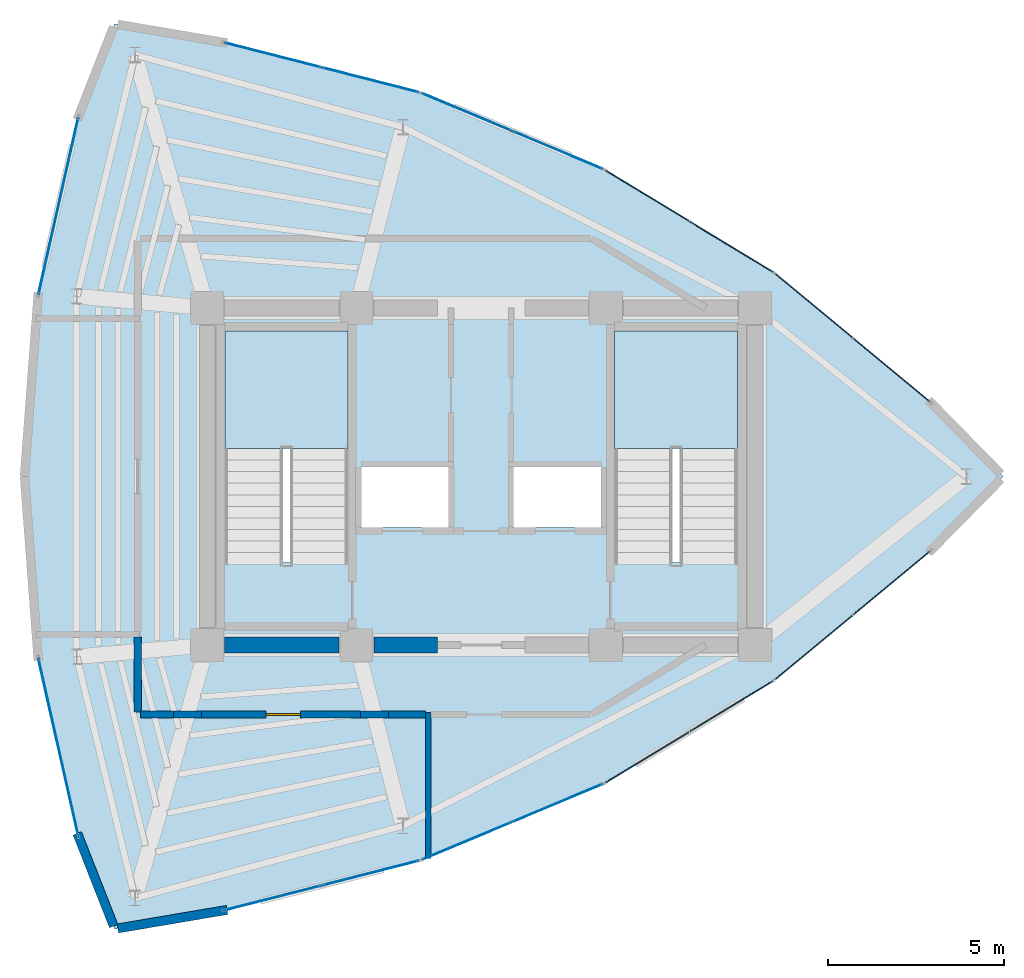
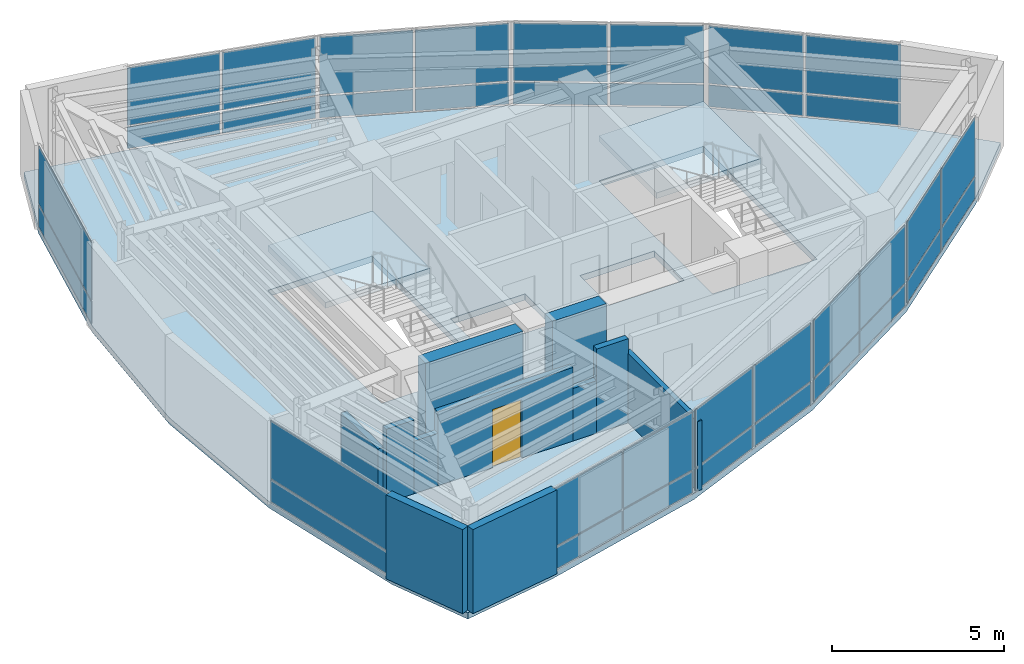
# One storey, part 11 of 14: 36 plates, 11 walls, 3 slabs, 1 door, 1 opening, 12 elements without a shape of their own.
"""IFC4 building model written with IfcOpenShell, lengths in metres."""

from ifc_helpers import new_model, si_unit, direction, frame, frame_2d, origin, origin_2d, place, context, subcontext, project, spatial, polyline, rectangle, outline, extrude, material, layer, layer_set, type_object, element, fill, aggregate, save


model = new_model("IFC4")

# Units and contexts
model_context = context("Model", 3, precision=1e-05, world=origin(), true_north=direction((0.0, 1.0)))
body_context = subcontext(model_context, "Body", "Model", "MODEL_VIEW")
ifc_project = project(units=[si_unit("LENGTHUNIT", "METRE"), si_unit("AREAUNIT", "SQUARE_METRE"), si_unit("VOLUMEUNIT", "CUBIC_METRE"), si_unit("PLANEANGLEUNIT", "RADIAN"), si_unit("MASSUNIT", "GRAM", prefix="KILO")], contexts=[model_context])

# Site, building, storey
site_placement = place(None, origin())
site = spatial("IfcSite", under=ifc_project, at=site_placement, CompositionType="ELEMENT")
building_placement = place(site_placement, origin())
building = spatial("IfcBuilding", under=site, at=building_placement, Name="Menara Vayukalpa", CompositionType="ELEMENT")
storey_placement = place(building_placement, frame((0.0, 0.0, 308.820068359375)))
storey = spatial("IfcBuildingStorey", under=building, at=storey_placement, Name="L79", CompositionType="ELEMENT", Elevation=308.820068359375)

# Curtain wall, plates
ifc_material_1 = material(Name="Anodised Terracotta Aluminium Alloy 6063-T6", Category="masonry")
ifc_layer_1 = layer(ifc_material_1, 0.14990234375)
ifc_layer_set_1 = layer_set([ifc_layer_1], Name="Anodised Terracotta Aluminium Alloy 6063-T6")
curtain_wall_type = type_object("IfcCurtainWallType", Name="CW-CW7", PredefinedType="USERDEFINED", material=ifc_layer_set_1)
curtain_wall_1_placement = place(storey_placement, origin())
curtain_wall_1 = element("IfcCurtainWall", 1, at=curtain_wall_1_placement, inside=storey, type_object=curtain_wall_type, Name="L79 Crown Drum Screened Curtain Wall CW7 03", ObjectType="UNITISED", PredefinedType="USERDEFINED")
ifc_material_2 = material(Name="Low-E Double Glazing", Category="glass")
ifc_layer_2 = layer(ifc_material_2, 0.02587890625)
ifc_layer_set_2 = layer_set([ifc_layer_2], Name="Low-E Double Glazing")
plate_type = type_object("IfcPlateType", Name="CWP-CW7", PredefinedType="CURTAIN_PANEL", material=ifc_layer_set_2)
plate_1_placement = place(storey_placement, frame((37.28271484375, 25.031982421875, 0.06005859375), z_axis=(0.0, 0.0, 1.0), x_axis=(-0.7697490702, 0.63834658997, 0.0)))
plate_1 = element("IfcPlate", 2, at=plate_1_placement, type_object=plate_type, Name="CW7 panel 1.1", PredefinedType="CURTAIN_PANEL", context=body_context, shape_type="SweptSolid", body=[
    extrude(rectangle(XDim=2.80078125, YDim=0.02587890625, at=origin_2d()), origin(), (0.0, 0.0, 1.0), 0.760009765625),
])
plate_2_placement = place(storey_placement, frame((37.28271484375, 25.031982421875, 0.8798828125), z_axis=(0.0, 0.0, 1.0), x_axis=(-0.7697490702, 0.63834658997, 0.0)))
plate_2 = element("IfcPlate", 3, at=plate_2_placement, type_object=plate_type, Name="CW7 panel 1.2", PredefinedType="CURTAIN_PANEL", context=body_context, shape_type="SweptSolid", body=[
    extrude(rectangle(XDim=2.80078125, YDim=0.02587890625, at=origin_2d()), origin(), (0.0, 0.0, 1.0), 2.0400390625),
])
plate_3_placement = place(storey_placement, frame((35.07666015625, 26.861328125, 0.06005859375), z_axis=(0.0, 0.0, 1.0), x_axis=(-0.7697490702, 0.63834658997, 0.0)))
plate_3 = element("IfcPlate", 4, at=plate_3_placement, type_object=plate_type, Name="CW7 panel 2.1", PredefinedType="CURTAIN_PANEL", context=body_context, shape_type="SweptSolid", body=[
    extrude(rectangle(XDim=2.80078125, YDim=0.02587890625, at=origin_2d()), origin(), (0.0, 0.0, 1.0), 0.760009765625),
])
plate_4_placement = place(storey_placement, frame((35.07666015625, 26.861328125, 0.8798828125), z_axis=(0.0, 0.0, 1.0), x_axis=(-0.7697490702, 0.63834658997, 0.0)))
plate_4 = element("IfcPlate", 5, at=plate_4_placement, type_object=plate_type, Name="CW7 panel 2.2", PredefinedType="CURTAIN_PANEL", context=body_context, shape_type="SweptSolid", body=[
    extrude(rectangle(XDim=2.80078125, YDim=0.02587890625, at=origin_2d()), origin(), (0.0, 0.0, 1.0), 2.0400390625),
])
aggregate(curtain_wall_1, [plate_1, plate_2, plate_3, plate_4])

curtain_wall_2_placement = place(storey_placement, origin())
curtain_wall_2 = element("IfcCurtainWall", 6, at=curtain_wall_2_placement, inside=storey, type_object=curtain_wall_type, Name="L79 Crown Drum Screened Curtain Wall CW7 04", ObjectType="UNITISED", PredefinedType="USERDEFINED")
plate_5_placement = place(storey_placement, frame((32.72314453125, 28.541259765625, 0.06005859375), z_axis=(0.0, 0.0, 1.0), x_axis=(-0.854667083096, 0.519176441176, 0.0)))
plate_5 = element("IfcPlate", 7, at=plate_5_placement, type_object=plate_type, Name="CW7 panel 1.1", PredefinedType="CURTAIN_PANEL", context=body_context, shape_type="SweptSolid", body=[
    extrude(rectangle(XDim=2.738037109375, YDim=0.02587890625, at=origin_2d()), origin(), (0.0, 0.0, 1.0), 0.760009765625),
])
plate_6_placement = place(storey_placement, frame((32.72314453125, 28.541259765625, 0.8798828125), z_axis=(0.0, 0.0, 1.0), x_axis=(-0.854667083096, 0.519176441176, 0.0)))
plate_6 = element("IfcPlate", 8, at=plate_6_placement, type_object=plate_type, Name="CW7 panel 1.2", PredefinedType="CURTAIN_PANEL", context=body_context, shape_type="SweptSolid", body=[
    extrude(rectangle(XDim=2.738037109375, YDim=0.02587890625, at=origin_2d()), origin(), (0.0, 0.0, 1.0), 2.0400390625),
])
plate_7_placement = place(storey_placement, frame((30.327392578125, 29.99658203125, 0.06005859375), z_axis=(0.0, 0.0, 1.0), x_axis=(-0.854667083096, 0.519176441176, 0.0)))
plate_7 = element("IfcPlate", 9, at=plate_7_placement, type_object=plate_type, Name="CW7 panel 2.1", PredefinedType="CURTAIN_PANEL", context=body_context, shape_type="SweptSolid", body=[
    extrude(rectangle(XDim=2.738037109375, YDim=0.02587890625, at=origin_2d()), origin(), (0.0, 0.0, 1.0), 0.760009765625),
])
plate_8_placement = place(storey_placement, frame((30.327392578125, 29.99658203125, 0.8798828125), z_axis=(0.0, 0.0, 1.0), x_axis=(-0.854667083096, 0.519176441176, 0.0)))
plate_8 = element("IfcPlate", 10, at=plate_8_placement, type_object=plate_type, Name="CW7 panel 2.2", PredefinedType="CURTAIN_PANEL", context=body_context, shape_type="SweptSolid", body=[
    extrude(rectangle(XDim=2.738037109375, YDim=0.02587890625, at=origin_2d()), origin(), (0.0, 0.0, 1.0), 2.0400390625),
])
aggregate(curtain_wall_2, [plate_5, plate_6, plate_7, plate_8])

curtain_wall_3_placement = place(storey_placement, origin())
curtain_wall_3 = element("IfcCurtainWall", 11, at=curtain_wall_3_placement, inside=storey, type_object=curtain_wall_type, Name="L79 Crown Drum Screened Curtain Wall CW7 05", ObjectType="UNITISED", PredefinedType="USERDEFINED")
plate_9_placement = place(storey_placement, frame((27.77880859375, 31.29443359375, 0.06005859375), z_axis=(0.0, 0.0, 1.0), x_axis=(-0.922541302191, 0.385898361946, 0.0)))
plate_9 = element("IfcPlate", 12, at=plate_9_placement, type_object=plate_type, Name="CW7 panel 1.1", PredefinedType="CURTAIN_PANEL", context=body_context, shape_type="SweptSolid", body=[
    extrude(rectangle(XDim=2.738037109375, YDim=0.02587890625, at=origin_2d()), origin(), (0.0, 0.0, 1.0), 0.760009765625),
])
plate_10_placement = place(storey_placement, frame((27.77880859375, 31.29443359375, 0.8798828125), z_axis=(0.0, 0.0, 1.0), x_axis=(-0.922541302191, 0.385898361946, 0.0)))
plate_10 = element("IfcPlate", 13, at=plate_10_placement, type_object=plate_type, Name="CW7 panel 1.2", PredefinedType="CURTAIN_PANEL", context=body_context, shape_type="SweptSolid", body=[
    extrude(rectangle(XDim=2.738037109375, YDim=0.02587890625, at=origin_2d()), origin(), (0.0, 0.0, 1.0), 2.0400390625),
])
plate_11_placement = place(storey_placement, frame((25.19287109375, 32.376220703125, 0.06005859375), z_axis=(0.0, 0.0, 1.0), x_axis=(-0.922541302191, 0.385898361946, 0.0)))
plate_11 = element("IfcPlate", 14, at=plate_11_placement, type_object=plate_type, Name="CW7 panel 2.1", PredefinedType="CURTAIN_PANEL", context=body_context, shape_type="SweptSolid", body=[
    extrude(rectangle(XDim=2.738037109375, YDim=0.02587890625, at=origin_2d()), origin(), (0.0, 0.0, 1.0), 0.760009765625),
])
plate_12_placement = place(storey_placement, frame((25.19287109375, 32.376220703125, 0.8798828125), z_axis=(0.0, 0.0, 1.0), x_axis=(-0.922541302191, 0.385898361946, 0.0)))
plate_12 = element("IfcPlate", 15, at=plate_12_placement, type_object=plate_type, Name="CW7 panel 2.2", PredefinedType="CURTAIN_PANEL", context=body_context, shape_type="SweptSolid", body=[
    extrude(rectangle(XDim=2.738037109375, YDim=0.02587890625, at=origin_2d()), origin(), (0.0, 0.0, 1.0), 2.0400390625),
])
aggregate(curtain_wall_3, [plate_9, plate_10, plate_11, plate_12])

curtain_wall_4_placement = place(storey_placement, origin())
curtain_wall_4 = element("IfcCurtainWall", 16, at=curtain_wall_4_placement, inside=storey, type_object=curtain_wall_type, Name="L79 Crown Drum Screened Curtain Wall CW7 06", ObjectType="UNITISED", PredefinedType="USERDEFINED")
plate_13_placement = place(storey_placement, frame((22.449951171875, 33.291748046875, 0.06005859375), z_axis=(0.0, 0.0, 1.0), x_axis=(-0.968983924097, 0.247123764219, 0.0)))
plate_13 = element("IfcPlate", 17, at=plate_13_placement, type_object=plate_type, Name="CW7 panel 1.1", PredefinedType="CURTAIN_PANEL", context=body_context, shape_type="SweptSolid", body=[
    extrude(rectangle(XDim=2.80078125, YDim=0.02587890625, at=origin_2d()), origin(), (0.0, 0.0, 1.0), 0.760009765625),
])
plate_14_placement = place(storey_placement, frame((22.449951171875, 33.291748046875, 0.8798828125), z_axis=(0.0, 0.0, 1.0), x_axis=(-0.968983924097, 0.247123764219, 0.0)))
plate_14 = element("IfcPlate", 18, at=plate_14_placement, type_object=plate_type, Name="CW7 panel 1.2", PredefinedType="CURTAIN_PANEL", context=body_context, shape_type="SweptSolid", body=[
    extrude(rectangle(XDim=2.80078125, YDim=0.02587890625, at=origin_2d()), origin(), (0.0, 0.0, 1.0), 2.0400390625),
])
plate_15_placement = place(storey_placement, frame((19.6728515625, 34.0, 0.06005859375), z_axis=(0.0, 0.0, 1.0), x_axis=(-0.968983924097, 0.247123764219, 0.0)))
plate_15 = element("IfcPlate", 19, at=plate_15_placement, type_object=plate_type, Name="CW7 panel 2.1", PredefinedType="CURTAIN_PANEL", context=body_context, shape_type="SweptSolid", body=[
    extrude(rectangle(XDim=2.80078125, YDim=0.02587890625, at=origin_2d()), origin(), (0.0, 0.0, 1.0), 0.760009765625),
])
plate_16_placement = place(storey_placement, frame((19.6728515625, 34.0, 0.8798828125), z_axis=(0.0, 0.0, 1.0), x_axis=(-0.968983924097, 0.247123764219, 0.0)))
plate_16 = element("IfcPlate", 20, at=plate_16_placement, type_object=plate_type, Name="CW7 panel 2.2", PredefinedType="CURTAIN_PANEL", context=body_context, shape_type="SweptSolid", body=[
    extrude(rectangle(XDim=2.80078125, YDim=0.02587890625, at=origin_2d()), origin(), (0.0, 0.0, 1.0), 2.0400390625),
])
aggregate(curtain_wall_4, [plate_13, plate_14, plate_15, plate_16])

curtain_wall_5_placement = place(storey_placement, origin())
curtain_wall_5 = element("IfcCurtainWall", 21, at=curtain_wall_5_placement, inside=storey, type_object=curtain_wall_type, Name="L79 Crown Drum Screened Curtain Wall CW7 09", ObjectType="UNITISED", PredefinedType="USERDEFINED")
plate_17_placement = place(storey_placement, frame((13.558837890625, 29.69921875, 0.06005859375), z_axis=(0.0, 0.0, 1.0), x_axis=(-0.219515813421, -0.975608941973, 0.0)))
plate_17 = element("IfcPlate", 22, at=plate_17_placement, type_object=plate_type, Name="CW7 panel 1.1", PredefinedType="CURTAIN_PANEL", context=body_context, shape_type="SweptSolid", body=[
    extrude(rectangle(XDim=5.131103515625, YDim=0.02587890625, at=origin_2d()), origin(), (0.0, 0.0, 1.0), 0.760009765625),
])
plate_18_placement = place(storey_placement, frame((13.558837890625, 29.69921875, 0.8798828125), z_axis=(0.0, 0.0, 1.0), x_axis=(-0.219515813421, -0.975608941973, 0.0)))
plate_18 = element("IfcPlate", 23, at=plate_18_placement, type_object=plate_type, Name="CW7 panel 1.2", PredefinedType="CURTAIN_PANEL", context=body_context, shape_type="SweptSolid", body=[
    extrude(rectangle(XDim=5.131103515625, YDim=0.02587890625, at=origin_2d()), origin(), (0.0, 0.0, 1.0), 2.0400390625),
])
aggregate(curtain_wall_5, [plate_17, plate_18])

curtain_wall_6_placement = place(storey_placement, origin())
curtain_wall_6 = element("IfcCurtainWall", 24, at=curtain_wall_6_placement, inside=storey, type_object=curtain_wall_type, Name="L79 Crown Drum Screened Curtain Wall CW7 12", ObjectType="UNITISED", PredefinedType="USERDEFINED")
plate_19_placement = place(storey_placement, frame((13.558837890625, 14.30078125, 0.06005859375), z_axis=(0.0, 0.0, 1.0), x_axis=(0.219515813421, -0.975608941973, 0.0)))
plate_19 = element("IfcPlate", 25, at=plate_19_placement, type_object=plate_type, Name="CW7 panel 1.1", PredefinedType="CURTAIN_PANEL", context=body_context, shape_type="SweptSolid", body=[
    extrude(rectangle(XDim=5.131103515625, YDim=0.02587890625, at=origin_2d()), origin(), (0.0, 0.0, 1.0), 0.760009765625),
])
plate_20_placement = place(storey_placement, frame((13.558837890625, 14.30078125, 0.8798828125), z_axis=(0.0, 0.0, 1.0), x_axis=(0.219515813421, -0.975608941973, 0.0)))
plate_20 = element("IfcPlate", 26, at=plate_20_placement, type_object=plate_type, Name="CW7 panel 1.2", PredefinedType="CURTAIN_PANEL", context=body_context, shape_type="SweptSolid", body=[
    extrude(rectangle(XDim=5.131103515625, YDim=0.02587890625, at=origin_2d()), origin(), (0.0, 0.0, 1.0), 2.0400390625),
])
aggregate(curtain_wall_6, [plate_19, plate_20])

curtain_wall_7_placement = place(storey_placement, origin())
curtain_wall_7 = element("IfcCurtainWall", 27, at=curtain_wall_7_placement, inside=storey, type_object=curtain_wall_type, Name="L79 Crown Drum Screened Curtain Wall CW7 15", ObjectType="UNITISED", PredefinedType="USERDEFINED")
plate_21_placement = place(storey_placement, frame((19.6728515625, 10.0, 0.06005859375), z_axis=(0.0, 0.0, 1.0), x_axis=(0.968983924097, 0.247123764219, 0.0)))
plate_21 = element("IfcPlate", 28, at=plate_21_placement, type_object=plate_type, Name="CW7 panel 1.1", PredefinedType="CURTAIN_PANEL", context=body_context, shape_type="SweptSolid", body=[
    extrude(rectangle(XDim=2.80078125, YDim=0.02587890625, at=origin_2d()), origin(), (0.0, 0.0, 1.0), 0.760009765625),
])
plate_22_placement = place(storey_placement, frame((19.6728515625, 10.0, 0.8798828125), z_axis=(0.0, 0.0, 1.0), x_axis=(0.968983924097, 0.247123764219, 0.0)))
plate_22 = element("IfcPlate", 29, at=plate_22_placement, type_object=plate_type, Name="CW7 panel 1.2", PredefinedType="CURTAIN_PANEL", context=body_context, shape_type="SweptSolid", body=[
    extrude(rectangle(XDim=2.80078125, YDim=0.02587890625, at=origin_2d()), origin(), (0.0, 0.0, 1.0), 2.0400390625),
])
plate_23_placement = place(storey_placement, frame((22.449951171875, 10.708251953125, 0.06005859375), z_axis=(0.0, 0.0, 1.0), x_axis=(0.968983924097, 0.247123764219, 0.0)))
plate_23 = element("IfcPlate", 30, at=plate_23_placement, type_object=plate_type, Name="CW7 panel 2.1", PredefinedType="CURTAIN_PANEL", context=body_context, shape_type="SweptSolid", body=[
    extrude(rectangle(XDim=2.80078125, YDim=0.02587890625, at=origin_2d()), origin(), (0.0, 0.0, 1.0), 0.760009765625),
])
plate_24_placement = place(storey_placement, frame((22.449951171875, 10.708251953125, 0.8798828125), z_axis=(0.0, 0.0, 1.0), x_axis=(0.968983924097, 0.247123764219, 0.0)))
plate_24 = element("IfcPlate", 31, at=plate_24_placement, type_object=plate_type, Name="CW7 panel 2.2", PredefinedType="CURTAIN_PANEL", context=body_context, shape_type="SweptSolid", body=[
    extrude(rectangle(XDim=2.80078125, YDim=0.02587890625, at=origin_2d()), origin(), (0.0, 0.0, 1.0), 2.0400390625),
])
aggregate(curtain_wall_7, [plate_21, plate_22, plate_23, plate_24])

curtain_wall_8_placement = place(storey_placement, origin())
curtain_wall_8 = element("IfcCurtainWall", 32, at=curtain_wall_8_placement, inside=storey, type_object=curtain_wall_type, Name="L79 Crown Drum Screened Curtain Wall CW7 16", ObjectType="UNITISED", PredefinedType="USERDEFINED")
plate_25_placement = place(storey_placement, frame((25.19287109375, 11.623779296875, 0.06005859375), z_axis=(0.0, 0.0, 1.0), x_axis=(0.922541302191, 0.385898361946, 0.0)))
plate_25 = element("IfcPlate", 33, at=plate_25_placement, type_object=plate_type, Name="CW7 panel 1.1", PredefinedType="CURTAIN_PANEL", context=body_context, shape_type="SweptSolid", body=[
    extrude(rectangle(XDim=2.738037109375, YDim=0.02587890625, at=origin_2d()), origin(), (0.0, 0.0, 1.0), 0.760009765625),
])
plate_26_placement = place(storey_placement, frame((25.19287109375, 11.623779296875, 0.8798828125), z_axis=(0.0, 0.0, 1.0), x_axis=(0.922541302191, 0.385898361946, 0.0)))
plate_26 = element("IfcPlate", 34, at=plate_26_placement, type_object=plate_type, Name="CW7 panel 1.2", PredefinedType="CURTAIN_PANEL", context=body_context, shape_type="SweptSolid", body=[
    extrude(rectangle(XDim=2.738037109375, YDim=0.02587890625, at=origin_2d()), origin(), (0.0, 0.0, 1.0), 2.0400390625),
])
plate_27_placement = place(storey_placement, frame((27.77880859375, 12.70556640625, 0.06005859375), z_axis=(0.0, 0.0, 1.0), x_axis=(0.922541302191, 0.385898361946, 0.0)))
plate_27 = element("IfcPlate", 35, at=plate_27_placement, type_object=plate_type, Name="CW7 panel 2.1", PredefinedType="CURTAIN_PANEL", context=body_context, shape_type="SweptSolid", body=[
    extrude(rectangle(XDim=2.738037109375, YDim=0.02587890625, at=origin_2d()), origin(), (0.0, 0.0, 1.0), 0.760009765625),
])
plate_28_placement = place(storey_placement, frame((27.77880859375, 12.70556640625, 0.8798828125), z_axis=(0.0, 0.0, 1.0), x_axis=(0.922541302191, 0.385898361946, 0.0)))
plate_28 = element("IfcPlate", 36, at=plate_28_placement, type_object=plate_type, Name="CW7 panel 2.2", PredefinedType="CURTAIN_PANEL", context=body_context, shape_type="SweptSolid", body=[
    extrude(rectangle(XDim=2.738037109375, YDim=0.02587890625, at=origin_2d()), origin(), (0.0, 0.0, 1.0), 2.0400390625),
])
aggregate(curtain_wall_8, [plate_25, plate_26, plate_27, plate_28])

curtain_wall_9_placement = place(storey_placement, origin())
curtain_wall_9 = element("IfcCurtainWall", 37, at=curtain_wall_9_placement, inside=storey, type_object=curtain_wall_type, Name="L79 Crown Drum Screened Curtain Wall CW7 17", ObjectType="UNITISED", PredefinedType="USERDEFINED")
plate_29_placement = place(storey_placement, frame((30.327392578125, 14.00341796875, 0.06005859375), z_axis=(0.0, 0.0, 1.0), x_axis=(0.854667083096, 0.519176441176, 0.0)))
plate_29 = element("IfcPlate", 38, at=plate_29_placement, type_object=plate_type, Name="CW7 panel 1.1", PredefinedType="CURTAIN_PANEL", context=body_context, shape_type="SweptSolid", body=[
    extrude(rectangle(XDim=2.738037109375, YDim=0.02587890625, at=origin_2d()), origin(), (0.0, 0.0, 1.0), 0.760009765625),
])
plate_30_placement = place(storey_placement, frame((30.327392578125, 14.00341796875, 0.8798828125), z_axis=(0.0, 0.0, 1.0), x_axis=(0.854667083096, 0.519176441176, 0.0)))
plate_30 = element("IfcPlate", 39, at=plate_30_placement, type_object=plate_type, Name="CW7 panel 1.2", PredefinedType="CURTAIN_PANEL", context=body_context, shape_type="SweptSolid", body=[
    extrude(rectangle(XDim=2.738037109375, YDim=0.02587890625, at=origin_2d()), origin(), (0.0, 0.0, 1.0), 2.0400390625),
])
plate_31_placement = place(storey_placement, frame((32.72314453125, 15.458740234375, 0.06005859375), z_axis=(0.0, 0.0, 1.0), x_axis=(0.854667083096, 0.519176441176, 0.0)))
plate_31 = element("IfcPlate", 40, at=plate_31_placement, type_object=plate_type, Name="CW7 panel 2.1", PredefinedType="CURTAIN_PANEL", context=body_context, shape_type="SweptSolid", body=[
    extrude(rectangle(XDim=2.738037109375, YDim=0.02587890625, at=origin_2d()), origin(), (0.0, 0.0, 1.0), 0.760009765625),
])
plate_32_placement = place(storey_placement, frame((32.72314453125, 15.458740234375, 0.8798828125), z_axis=(0.0, 0.0, 1.0), x_axis=(0.854667083096, 0.519176441176, 0.0)))
plate_32 = element("IfcPlate", 41, at=plate_32_placement, type_object=plate_type, Name="CW7 panel 2.2", PredefinedType="CURTAIN_PANEL", context=body_context, shape_type="SweptSolid", body=[
    extrude(rectangle(XDim=2.738037109375, YDim=0.02587890625, at=origin_2d()), origin(), (0.0, 0.0, 1.0), 2.0400390625),
])
aggregate(curtain_wall_9, [plate_29, plate_30, plate_31, plate_32])

curtain_wall_10_placement = place(storey_placement, origin())
curtain_wall_10 = element("IfcCurtainWall", 42, at=curtain_wall_10_placement, inside=storey, type_object=curtain_wall_type, Name="L79 Crown Drum Screened Curtain Wall CW7 18", ObjectType="UNITISED", PredefinedType="USERDEFINED")
plate_33_placement = place(storey_placement, frame((35.07666015625, 17.138671875, 0.06005859375), z_axis=(0.0, 0.0, 1.0), x_axis=(0.7697490702, 0.63834658997, 0.0)))
plate_33 = element("IfcPlate", 43, at=plate_33_placement, type_object=plate_type, Name="CW7 panel 1.1", PredefinedType="CURTAIN_PANEL", context=body_context, shape_type="SweptSolid", body=[
    extrude(rectangle(XDim=2.80078125, YDim=0.02587890625, at=origin_2d()), origin(), (0.0, 0.0, 1.0), 0.760009765625),
])
plate_34_placement = place(storey_placement, frame((35.07666015625, 17.138671875, 0.8798828125), z_axis=(0.0, 0.0, 1.0), x_axis=(0.7697490702, 0.63834658997, 0.0)))
plate_34 = element("IfcPlate", 44, at=plate_34_placement, type_object=plate_type, Name="CW7 panel 1.2", PredefinedType="CURTAIN_PANEL", context=body_context, shape_type="SweptSolid", body=[
    extrude(rectangle(XDim=2.80078125, YDim=0.02587890625, at=origin_2d()), origin(), (0.0, 0.0, 1.0), 2.0400390625),
])
plate_35_placement = place(storey_placement, frame((37.28271484375, 18.968017578125, 0.06005859375), z_axis=(0.0, 0.0, 1.0), x_axis=(0.7697490702, 0.63834658997, 0.0)))
plate_35 = element("IfcPlate", 45, at=plate_35_placement, type_object=plate_type, Name="CW7 panel 2.1", PredefinedType="CURTAIN_PANEL", context=body_context, shape_type="SweptSolid", body=[
    extrude(rectangle(XDim=2.80078125, YDim=0.02587890625, at=origin_2d()), origin(), (0.0, 0.0, 1.0), 0.760009765625),
])
plate_36_placement = place(storey_placement, frame((37.28271484375, 18.968017578125, 0.8798828125), z_axis=(0.0, 0.0, 1.0), x_axis=(0.7697490702, 0.63834658997, 0.0)))
plate_36 = element("IfcPlate", 46, at=plate_36_placement, type_object=plate_type, Name="CW7 panel 2.2", PredefinedType="CURTAIN_PANEL", context=body_context, shape_type="SweptSolid", body=[
    extrude(rectangle(XDim=2.80078125, YDim=0.02587890625, at=origin_2d()), origin(), (0.0, 0.0, 1.0), 2.0400390625),
])
aggregate(curtain_wall_10, [plate_33, plate_34, plate_35, plate_36])

# Slab
ifc_material_3 = material(Name="Concrete C40/50", Category="concrete")
ifc_layer_3 = layer(ifc_material_3, 0.219970703125)
ifc_layer_set_3 = layer_set([ifc_layer_3], Name="Concrete C40/50")
slab_type_1 = type_object("IfcSlabType", Name="SLB-FL220", PredefinedType="FLOOR", material=ifc_layer_set_3)
slab_1_placement = place(storey_placement, frame((0.0, 0.0, -0.219970703125)))
element("IfcSlab", 47, at=slab_1_placement, inside=storey, type_object=slab_type_1, Name="L79 Structural Floor Slab", PredefinedType="FLOOR", context=body_context, shape_type="SweptSolid", body=[
    extrude(outline(polyline([(38.41064453125, 19.903564453125), (40.468994140625, 22.0), (38.41064453125, 24.096435546875), (33.94873046875, 27.796875), (29.101806640625, 30.7412109375), (23.869873046875, 32.9296875), (18.2529296875, 34.362060546875), (15.16552734375, 34.88623046875), (14.13623046875, 32.265625), (12.9814453125, 27.1328125), (12.596435546875, 22.0), (12.9814453125, 16.8671875), (14.13623046875, 11.734375), (15.16552734375, 9.11376953125), (18.2529296875, 9.637939453125), (23.869873046875, 11.0703125), (29.101806640625, 13.2587890625), (33.94873046875, 16.203125), (38.41064453125, 19.903564453125)]), holes=[polyline([(21.800048828125, 19.550048828125), (21.800048828125, 26.14990234375), (18.300048828125, 26.14990234375), (18.300048828125, 19.550048828125), (21.800048828125, 19.550048828125)]), polyline([(32.89990234375, 19.550048828125), (32.89990234375, 26.14990234375), (29.39990234375, 26.14990234375), (29.39990234375, 19.550048828125), (32.89990234375, 19.550048828125)]), polyline([(22.179931640625, 20.550048828125), (24.679931640625, 20.550048828125), (24.679931640625, 22.27001953125), (22.179931640625, 22.27001953125), (22.179931640625, 20.550048828125)]), polyline([(26.52001953125, 20.550048828125), (29.02001953125, 20.550048828125), (29.02001953125, 22.27001953125), (26.52001953125, 22.27001953125), (26.52001953125, 20.550048828125)])]), origin(), (0.0, 0.0, 1.0), 0.219970703125),
])

# Stair, slab
ifc_material_4 = material(Name="Precast Concrete C40/50", Category="concrete")
stair_type = type_object("IfcStairType", Name="STR-T07", PredefinedType="DOUBLE_RETURN_STAIR", material=ifc_material_4)
stair_1_placement = place(storey_placement, origin())
stair_1 = element("IfcStair", 48, at=stair_1_placement, inside=storey, type_object=stair_type, Name="L79 Core Exit Stair ST-1", PredefinedType="DOUBLE_RETURN_STAIR")
ifc_material_5 = material(Name="Precast Concrete C40/50", Category="concrete")
ifc_layer_4 = layer(ifc_material_5, 0.199951171875)
ifc_layer_set_4 = layer_set([ifc_layer_4], Name="Precast Concrete C40/50")
slab_type_2 = type_object("IfcSlabType", Name="SLB-LND200", PredefinedType="LANDING", material=ifc_layer_set_4)
slab_2_placement = place(storey_placement, frame((0.0, 0.0, 1.39990234375)))
slab_2 = element("IfcSlab", 49, at=slab_2_placement, type_object=slab_type_2, Name="ST-1 landing 1", PredefinedType="LANDING", context=body_context, shape_type="SweptSolid", body=[
    extrude(outline(polyline([(21.800048828125, 22.800048828125), (21.800048828125, 26.14990234375), (18.300048828125, 26.14990234375), (18.300048828125, 22.800048828125), (21.800048828125, 22.800048828125)])), origin(), (0.0, 0.0, 1.0), 0.199951171875),
])
aggregate(stair_1, [slab_2])

stair_2_placement = place(storey_placement, origin())
stair_2 = element("IfcStair", 50, at=stair_2_placement, inside=storey, type_object=stair_type, Name="L79 Core Exit Stair ST-2", PredefinedType="DOUBLE_RETURN_STAIR")
slab_3_placement = place(storey_placement, frame((0.0, 0.0, 1.39990234375)))
slab_3 = element("IfcSlab", 51, at=slab_3_placement, type_object=slab_type_2, Name="ST-2 landing 1", PredefinedType="LANDING", context=body_context, shape_type="SweptSolid", body=[
    extrude(outline(polyline([(32.89990234375, 22.800048828125), (32.89990234375, 26.14990234375), (29.39990234375, 26.14990234375), (29.39990234375, 22.800048828125), (32.89990234375, 22.800048828125)])), origin(), (0.0, 0.0, 1.0), 0.199951171875),
])
aggregate(stair_2, [slab_3])

# Walls
ifc_material_6 = material(Name="Concrete C50/60", Category="concrete")
ifc_layer_5 = layer(ifc_material_6, 0.449951171875)
ifc_layer_set_5 = layer_set([ifc_layer_5], Name="Concrete C50/60")
wall_type_1 = type_object("IfcWallType", Name="WAL-CW450", PredefinedType="SHEAR", material=ifc_layer_set_5)
wall_1_placement = place(storey_placement, frame((18.294921875, 17.199951171875, 0.0), z_axis=(0.0, 0.0, 1.0), x_axis=(1.0, 0.0, 0.0)))
element("IfcWall", 52, at=wall_1_placement, inside=storey, type_object=wall_type_1, Name="L79 Buttressed Core Shear Wall CWS1", PredefinedType="SHEAR", context=body_context, shape_type="SweptSolid", body=[
    extrude(rectangle(XDim=3.260009765625, YDim=0.449951171875, at=frame_2d((1.6298828125, 0.0))), origin(), (0.0, 0.0, 1.0), 2.97998046875),
])
wall_2_placement = place(storey_placement, frame((22.544921875, 17.199951171875, 0.0), z_axis=(0.0, 0.0, 1.0), x_axis=(1.0, 0.0, 0.0)))
element("IfcWall", 53, at=wall_2_placement, inside=storey, type_object=wall_type_1, Name="L79 Buttressed Core Shear Wall CWS2", PredefinedType="SHEAR", context=body_context, shape_type="SweptSolid", body=[
    extrude(rectangle(XDim=1.80517578125, YDim=0.449951171875, at=frame_2d((0.902587890625, 0.0))), origin(), (0.0, 0.0, 1.0), 2.97998046875),
])
ifc_material_7 = material(Name="Insulated Precast Concrete C40/50", Category="concrete")
ifc_layer_6 = layer(ifc_material_7, 0.260009765625)
ifc_layer_set_6 = layer_set([ifc_layer_6], Name="Insulated Precast Concrete C40/50")
wall_type_2 = type_object("IfcWallType", Name="WAL-EXT260", PredefinedType="PARTITIONING", material=ifc_layer_set_6)
wall_3_placement = place(storey_placement, frame((15.133544921875, 9.195068359375, 0.0), z_axis=(0.0, 0.0, 1.0), x_axis=(-0.365495346637, 0.930813166853, 0.0)))
element("IfcWall", 54, at=wall_3_placement, inside=storey, type_object=wall_type_2, Name="L79 Perimeter Terracotta Pier Wall 13", PredefinedType="PARTITIONING", context=body_context, shape_type="SweptSolid", body=[
    extrude(rectangle(XDim=2.838134765625, YDim=0.260009765625, at=frame_2d((1.4189453125, 0.0))), origin(), (0.0, 0.0, 1.0), 2.97998046875),
])
wall_4_placement = place(storey_placement, frame((18.366455078125, 9.656982421875, 0.0), z_axis=(0.0, 0.0, 1.0), x_axis=(-0.985905089134, -0.167305574383, 0.0)))
element("IfcWall", 55, at=wall_4_placement, inside=storey, type_object=wall_type_2, Name="L79 Perimeter Terracotta Pier Wall 14", PredefinedType="PARTITIONING", context=body_context, shape_type="SweptSolid", body=[
    extrude(rectangle(XDim=3.1591796875, YDim=0.260009765625, at=frame_2d((1.57958984375, 0.0))), origin(), (0.0, 0.0, 1.0), 2.97998046875),
])
ifc_material_8 = material(Name="Lightweight Concrete Blockwork C16/20", Category="masonry")
ifc_layer_7 = layer(ifc_material_8, 0.159912109375)
ifc_layer_set_7 = layer_set([ifc_layer_7], Name="Lightweight Concrete Blockwork C16/20")
wall_type_3 = type_object("IfcWallType", Name="WAL-FR150", PredefinedType="PARTITIONING", material=ifc_layer_set_7)
wall_5_placement = place(storey_placement, frame((24.090576171875, 11.119384765625, 0.0), z_axis=(0.0, 0.0, 1.0), x_axis=(0.0, 1.0, 0.0)))
element("IfcWall", 56, at=wall_5_placement, inside=storey, type_object=wall_type_3, Name="L79 Interior Partition IW-L79-RDIV03", PredefinedType="PARTITIONING", context=body_context, shape_type="SweptSolid", body=[
    extrude(rectangle(XDim=4.16064453125, YDim=0.159912109375, at=frame_2d((2.080322265625, 0.0))), origin(), (0.0, 0.0, 1.0), 2.4599609375),
])
ifc_material_9 = material(Name="Lightweight Concrete Blockwork C16/20", Category="masonry")
ifc_layer_8 = layer(ifc_material_9, 0.199951171875)
ifc_layer_set_8 = layer_set([ifc_layer_8], Name="Lightweight Concrete Blockwork C16/20")
wall_type_4 = type_object("IfcWallType", Name="WAL-FR200", PredefinedType="PARTITIONING", material=ifc_layer_set_8)
wall_6_placement = place(storey_placement, frame((15.820068359375, 17.429931640625, 0.0), z_axis=(0.0, 0.0, 1.0), x_axis=(0.0, -1.0, 0.0)))
element("IfcWall", 57, at=wall_6_placement, inside=storey, type_object=wall_type_4, Name="L79 Interior Partition IW-L79-CRM01-1", PredefinedType="PARTITIONING", context=body_context, shape_type="SweptSolid", body=[
    extrude(rectangle(XDim=2.1298828125, YDim=0.199951171875, at=frame_2d((1.06494140625, 0.0))), origin(), (0.0, 0.0, 1.0), 1.85986328125),
])
wall_7_placement = place(storey_placement, frame((16.833740234375, 15.219970703125, 0.0), z_axis=(0.0, 0.0, 1.0), x_axis=(1.0, 0.0, 0.0)))
element("IfcWall", 58, at=wall_7_placement, inside=storey, type_object=wall_type_4, Name="L79 Interior Partition IW-L79-CRM01-2 Beam Collar 1", PredefinedType="PARTITIONING", context=body_context, shape_type="SweptSolid", body=[
    extrude(rectangle(XDim=0.80078125, YDim=0.199951171875, at=frame_2d((0.400390625, 0.0))), origin(), (0.0, 0.0, 1.0), 1.85986328125),
])
wall_8_placement = place(storey_placement, frame((22.160400390625, 15.219970703125, 0.0), z_axis=(0.0, 0.0, 1.0), x_axis=(1.0, 0.0, 0.0)))
element("IfcWall", 59, at=wall_8_placement, inside=storey, type_object=wall_type_4, Name="L79 Interior Partition IW-L79-CRM01-2 Beam Collar 2", PredefinedType="PARTITIONING", context=body_context, shape_type="SweptSolid", body=[
    extrude(rectangle(XDim=0.794921875, YDim=0.199951171875, at=frame_2d((0.3974609375, 0.0))), origin(), (0.0, 0.0, 1.0), 1.85986328125),
])
wall_9_placement = place(storey_placement, frame((15.89990234375, 15.219970703125, 0.0), z_axis=(0.0, 0.0, 1.0), x_axis=(1.0, 0.0, 0.0)))
element("IfcWall", 60, at=wall_9_placement, inside=storey, type_object=wall_type_4, Name="L79 Interior Partition IW-L79-CRM01-2 Span 3", PredefinedType="PARTITIONING", context=body_context, shape_type="SweptSolid", body=[
    extrude(rectangle(XDim=0.933837890625, YDim=0.199951171875, at=frame_2d((0.466796875, 0.0))), origin(), (0.0, 0.0, 1.0), 2.60986328125),
])
wall_10_placement = place(storey_placement, frame((22.955322265625, 15.219970703125, 0.0), z_axis=(0.0, 0.0, 1.0), x_axis=(1.0, 0.0, 0.0)))
element("IfcWall", 61, at=wall_10_placement, inside=storey, type_object=wall_type_4, Name="L79 Interior Partition IW-L79-CRM01-2 Span 4", PredefinedType="PARTITIONING", context=body_context, shape_type="SweptSolid", body=[
    extrude(rectangle(XDim=1.065185546875, YDim=0.199951171875, at=frame_2d((0.53271484375, 0.0))), origin(), (0.0, 0.0, 1.0), 2.97998046875),
])

# Wall, opening, door
wall_11_placement = place(storey_placement, frame((17.634521484375, 15.219970703125, 0.0), z_axis=(0.0, 0.0, 1.0), x_axis=(1.0, 0.0, 0.0)))
wall_11 = element("IfcWall", 62, at=wall_11_placement, inside=storey, type_object=wall_type_4, Name="L79 Interior Partition IW-L79-CRM01-2", PredefinedType="PARTITIONING", context=body_context, shape_type="SweptSolid", body=[
    extrude(rectangle(XDim=4.52587890625, YDim=0.199951171875, at=frame_2d((2.262939453125, 0.0))), origin(), (0.0, 0.0, 1.0), 2.60986328125),
])
opening_placement = place(wall_11_placement, frame((1.835693359375, 0.0, 0.0)))
opening = element("IfcOpeningElement", 63, at=opening_placement, cuts=wall_11, Name="Opening ID3", PredefinedType="OPENING", context=body_context, shape_type="SweptSolid", body=[
    extrude(rectangle(XDim=0.97998046875, YDim=2.06005859375, at=frame_2d((0.489990234375, 1.030029296875))), frame((0.0, 0.10986328125, 0.0), z_axis=(0.0, -1.0, 0.0), x_axis=(1.0, 0.0, 0.0)), (0.0, 0.0, 1.0), 0.219970703125),
])
ifc_material_10 = material(Name="Fire-Rated Powder-Coated Steel Door", Category="steel")
door_type = type_object("IfcDoorType", Name="DR-FD60", OperationType="NOTDEFINED", PredefinedType="DOOR", material=ifc_material_10)
door_placement = place(opening_placement, origin())
door = element("IfcDoor", 64, at=door_placement, inside=storey, type_object=door_type, Name="L79 Interior Door DR-L79-RM01", OperationType="SINGLE_SWING_LEFT", OverallHeight=2.06005859375, OverallWidth=0.97998046875, PredefinedType="DOOR", context=body_context, shape_type="SweptSolid", body=[
    extrude(rectangle(XDim=0.97998046875, YDim=2.06005859375, at=frame_2d((0.489990234375, 1.030029296875))), frame((0.0, 0.02490234375, 0.0), z_axis=(0.0, -1.0, 0.0), x_axis=(1.0, 0.0, 0.0)), (0.0, 0.0, 1.0), 0.050048828125),
])
fill(opening, door)

save(model, "model.ifc")
